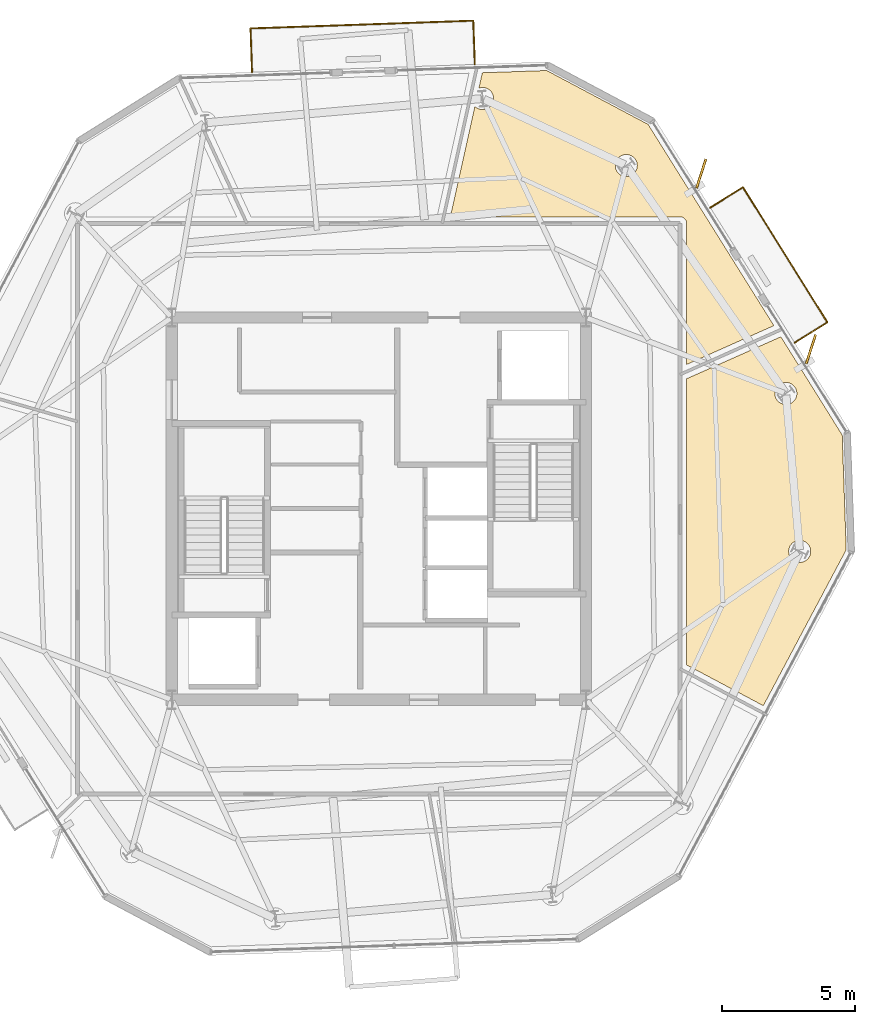
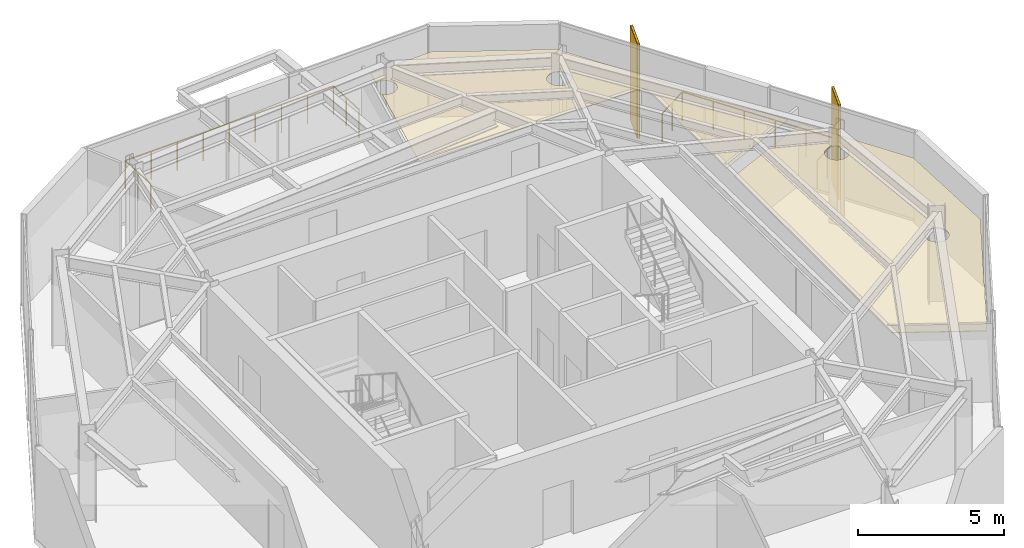
# One storey, part 11 of 11: 4 coverings, 2 railings, 2 shading devices.
"""IFC4 building model written with IfcOpenShell, lengths in metres."""

import ifcopenshell
import ifcopenshell.guid

model = None  # the IFC model being written
_history = None  # IfcOwnerHistory: only IFC2X3 demands one
_inside = {}  # id of a spatial element -> (the spatial element, [elements in it])
_under = {}  # id of a project, library or spatial element -> (it, [spatial elements below it])
_declared = {}  # id of a project -> (the project, [libraries it declares])
_typed = {}  # id of a type object -> (the type object, [elements of that type])
_made_of = {}  # id of a material, layer set ... -> (it, [elements and type objects made of it])


def new_model(schema):
    """Start an empty IFC model of exactly this schema.

    Asked for "IFC4X3", IfcOpenShell would pick the latest addendum, in which some entities
    have other attributes; the version numbers below select the first issue.
    IFC2X3 requires an IfcOwnerHistory on every rooted entity: one is made here for all.
    """
    global model, _history
    if schema == "IFC4X3":
        model = ifcopenshell.file(schema_version=(4, 3, 0, 0))
    else:
        model = ifcopenshell.file(schema=schema)
    _inside.clear()
    _under.clear()
    _declared.clear()
    _typed.clear()
    _made_of.clear()
    _history = None
    if model.schema == "IFC2X3":
        org = make("IfcOrganization", Name="unknown")
        user = make(
            "IfcPersonAndOrganization",
            ThePerson=make("IfcPerson", FamilyName="unknown"),
            TheOrganization=org,
        )
        app = make(
            "IfcApplication",
            ApplicationDeveloper=org,
            Version="unknown",
            ApplicationFullName="unknown",
            ApplicationIdentifier="unknown",
        )
        _history = make(
            "IfcOwnerHistory",
            OwningUser=user,
            OwningApplication=app,
            ChangeAction="ADDED",
            CreationDate=0,
        )
    return model


def make(cls, **values):
    """One entity of the class cls with the attributes given. An attribute that is None is left unset."""
    return model.create_entity(
        cls, **{name: value for name, value in values.items() if value is not None}
    )


def rooted(cls, **values):
    """An entity with a GlobalId (a new one), such as an element, a storey or a relation."""
    return make(cls, GlobalId=ifcopenshell.guid.new(), OwnerHistory=_history, **values)


def si_unit(unit_type, name, prefix=None):
    """IfcSIUnit, for example si_unit("LENGTHUNIT", "METRE", prefix="MILLI")."""
    return make("IfcSIUnit", UnitType=unit_type, Prefix=prefix, Name=name)


def assignment(units):
    """IfcUnitAssignment: the units of a project."""
    return None if units is None else make("IfcUnitAssignment", Units=units)


def point(xyz):
    """IfcCartesianPoint."""
    return None if xyz is None else make("IfcCartesianPoint", Coordinates=xyz)


def direction(xyz):
    """IfcDirection."""
    return None if xyz is None else make("IfcDirection", DirectionRatios=xyz)


def frame(location, z_axis=None, x_axis=None):
    """IfcAxis2Placement3D, a coordinate frame: its origin and axes. An axis left out is left unset."""
    return make(
        "IfcAxis2Placement3D",
        Location=point(location),
        Axis=direction(z_axis),
        RefDirection=direction(x_axis),
    )


def frame_2d(location, x_axis=None):
    """IfcAxis2Placement2D, a coordinate frame in the plane: its origin and x axis."""
    return make(
        "IfcAxis2Placement2D", Location=point(location), RefDirection=direction(x_axis)
    )


def origin():
    """The frame at (0, 0, 0) with its axes left unset."""
    return frame((0.0, 0.0, 0.0))


def origin_2d():
    """The frame at (0, 0) in the plane with its x axis left unset."""
    return frame_2d((0.0, 0.0))


def place(relative_to, where):
    """IfcLocalPlacement: puts the frame where relative to a parent placement (None: the world)."""
    return make(
        "IfcLocalPlacement", PlacementRelTo=relative_to, RelativePlacement=where
    )


def context(
    kind, dimensions, precision=None, world=None, true_north=None, identifier=None
):
    """IfcGeometricRepresentationContext, for example the 3D "Model" context."""
    return make(
        "IfcGeometricRepresentationContext",
        ContextIdentifier=identifier,
        ContextType=kind,
        CoordinateSpaceDimension=dimensions,
        Precision=precision,
        WorldCoordinateSystem=world,
        TrueNorth=true_north,
    )


def subcontext(parent, identifier, kind, view, scale=None):
    """IfcGeometricRepresentationSubContext, for example "Body" below "Model"."""
    return make(
        "IfcGeometricRepresentationSubContext",
        ContextIdentifier=identifier,
        ContextType=kind,
        ParentContext=parent,
        TargetScale=scale,
        TargetView=view,
    )


def project(units=None, contexts=None):
    """IfcProject with its units and contexts."""
    return rooted(
        "IfcProject",
        Name="project",
        RepresentationContexts=contexts,
        UnitsInContext=assignment(units),
    )


def spatial(cls, under=None, at=None, **own):
    """A site, building, storey or space (cls), placed at a placement, below another one or the project."""
    s = rooted(cls, ObjectPlacement=at, **own)
    if under is not None:
        _under.setdefault(under.id(), (under, []))[1].append(s)
    return s


def polyline(points):
    """IfcPolyline through the points."""
    return make("IfcPolyline", Points=[point(p) for p in points])


def profile(cls, at=None, kind="AREA", **sizes):
    """A parametric profile (cls). Its sizes go by their IFC names, for example OverallWidth=200.0."""
    return make(cls, ProfileType=kind, Position=at, **sizes)


def rectangle(**sizes):
    """IfcRectangleProfileDef."""
    return profile("IfcRectangleProfileDef", **sizes)


def circle(**sizes):
    """IfcCircleProfileDef."""
    return profile("IfcCircleProfileDef", **sizes)


def outline(outer, holes=None, kind="AREA"):
    """IfcArbitraryClosedProfileDef: a profile drawn as a closed curve; with holes, ...WithVoids."""
    if holes is None:
        return make("IfcArbitraryClosedProfileDef", ProfileType=kind, OuterCurve=outer)
    return make(
        "IfcArbitraryProfileDefWithVoids",
        ProfileType=kind,
        OuterCurve=outer,
        InnerCurves=holes,
    )


def extrude(swept, where, along, depth):
    """IfcExtrudedAreaSolid: the profile swept, set in the frame where, extruded along a direction by depth."""
    return make(
        "IfcExtrudedAreaSolid",
        SweptArea=swept,
        Position=where,
        ExtrudedDirection=direction(along),
        Depth=depth,
    )


def shape(context_of_items, identifier, shape_type, items):
    """IfcShapeRepresentation: the items that make up one representation, for example the "Body"."""
    return make(
        "IfcShapeRepresentation",
        ContextOfItems=context_of_items,
        RepresentationIdentifier=identifier,
        RepresentationType=shape_type,
        Items=items,
    )


def material(Name=None, Category=None):
    """IfcMaterial."""
    return make("IfcMaterial", Name=Name, Category=Category)


def layer(
    of_material, thickness, ventilated=None, Name=None, Category=None, Priority=None
):
    """IfcMaterialLayer: one layer of a wall or slab, of a material (None: an air gap)."""
    return make(
        "IfcMaterialLayer",
        Material=of_material,
        LayerThickness=thickness,
        IsVentilated=ventilated,
        Name=Name,
        Category=Category,
        Priority=Priority,
    )


def layer_set(layers, Name=None):
    """IfcMaterialLayerSet."""
    return make("IfcMaterialLayerSet", MaterialLayers=layers, LayerSetName=Name)


def made_of(thing, what):
    """Note that an element or type object is made of a material, layer set ...; save() writes the relation."""
    if what is not None:
        _made_of.setdefault(what.id(), (what, []))[1].append(thing)
    return thing


def type_object(cls, material=None, **own):
    """A type object (cls), such as IfcWallType, which elements share."""
    return made_of(rooted(cls, **own), material)


def element(
    cls,
    number,
    at=None,
    inside=None,
    cuts=None,
    type_object=None,
    material=None,
    context=None,
    identifier="Body",
    shape_type=None,
    held_by="IfcProductDefinitionShape",
    body=None,
    shapes=None,
    **own,
):
    """One element of the class cls, such as IfcWall. Its Tag is "e" and its number.

    at: its placement. inside: the storey or other place that contains it. cuts: it is an
    opening in that element (IfcRelVoidsElement). A single representation is given by context,
    identifier, shape_type and body (its items); several are given by shapes. held_by: the class
    of the entity that holds the representations. save() writes the other relations.
    """
    e = rooted(cls, Tag="e%d" % number, ObjectPlacement=at, **own)
    if body is not None:
        shapes = [shape(context, identifier, shape_type, body)]
    if shapes is not None:
        e.Representation = make(held_by, Representations=shapes)
    if inside is not None:
        _inside.setdefault(inside.id(), (inside, []))[1].append(e)
    if cuts is not None:
        rooted(
            "IfcRelVoidsElement", RelatingBuildingElement=cuts, RelatedOpeningElement=e
        )
    if type_object is not None:
        _typed.setdefault(type_object.id(), (type_object, []))[1].append(e)
    return made_of(e, material)


def aggregate(whole, parts):
    """IfcRelAggregates: a whole, such as a stair, and the parts it consists of."""
    return rooted("IfcRelAggregates", RelatingObject=whole, RelatedObjects=parts)


def save(model, path):
    """Write the relations noted so far, then the file.

    IfcRelAggregates (storeys below a building ...), IfcRelContainedInSpatialStructure (elements
    in a storey), IfcRelDefinesByType, IfcRelAssociatesMaterial and IfcRelDeclares: one each for
    every whole, place, type object, material and project.
    """
    for whole, parts in _under.values():
        aggregate(whole, parts)
    for where, things in _inside.values():
        rooted(
            "IfcRelContainedInSpatialStructure",
            RelatedElements=things,
            RelatingStructure=where,
        )
    for kind, things in _typed.values():
        rooted("IfcRelDefinesByType", RelatedObjects=things, RelatingType=kind)
    for what, things in _made_of.values():
        rooted("IfcRelAssociatesMaterial", RelatedObjects=things, RelatingMaterial=what)
    for by, libraries in _declared.values():
        rooted("IfcRelDeclares", RelatingContext=by, RelatedDefinitions=libraries)
    model.write(path)


model = new_model("IFC4")

# Units and contexts
model_context = context("Model", 3, precision=1e-05, world=origin(), true_north=direction((0.0, 1.0)))
body_context = subcontext(model_context, "Body", "Model", "MODEL_VIEW")
ifc_project = project(units=[si_unit("LENGTHUNIT", "METRE"), si_unit("AREAUNIT", "SQUARE_METRE"), si_unit("VOLUMEUNIT", "CUBIC_METRE"), si_unit("PLANEANGLEUNIT", "RADIAN"), si_unit("MASSUNIT", "GRAM", prefix="KILO")], contexts=[model_context])

# Site, building, storey
site_placement = place(None, origin())
site = spatial("IfcSite", under=ifc_project, at=site_placement, CompositionType="ELEMENT")
building_placement = place(site_placement, origin())
building = spatial("IfcBuilding", under=site, at=building_placement, Name="Kranzbogen Civic Tower", CompositionType="ELEMENT")
storey_placement = place(building_placement, frame((0.0, 0.0, 274.199951171875)))
storey = spatial("IfcBuildingStorey", under=building, at=storey_placement, Name="L66", CompositionType="ELEMENT", Elevation=274.199951171875)

# Coverings
ifc_material_1 = material(Name="Pale Anodised Aluminium", Category="aluminium")
ifc_layer_1 = layer(ifc_material_1, 0.02490234375, Name="Pale Anodised Aluminium")
ifc_layer_set_1 = layer_set([ifc_layer_1], Name="Pale Anodised Aluminium")
covering_type_1 = type_object("IfcCoveringType", Name="Anodised Aluminium Vertical Fin Cladding 25 mm", PredefinedType="CLADDING", material=ifc_layer_set_1)
for number, where, z_axis, x_axis, name in (
    (1, (41.279052734375, 31.010009765625, -0.139892578125), (0.0, 0.0, 1.0), (0.307190528564, 0.951648033235, 0.0), "L66 vertical fin pale-metal cladding F6-1"),
    (2, (37.14599609375, 37.625, -0.139892578125), (0.0, 0.0, 1.0), (0.307190528564, 0.951648033235, 0.0), "L66 vertical fin pale-metal cladding F6-4"),
):
    element("IfcCovering", number, at=place(storey_placement, frame(where, z_axis=z_axis, x_axis=x_axis)), inside=storey, type_object=covering_type_1, Name=name, PredefinedType="CLADDING", context=body_context, shape_type="SweptSolid", body=[
        extrude(rectangle(XDim=1.14990234375, YDim=0.094970703125, at=origin_2d()), origin(), (0.0, 0.0, 1.0), 3.9599609375),
    ])

# Railings
ifc_material_2 = material(Name="Anodised Bronze Aluminium", Category="aluminium")
railing_type = type_object("IfcRailingType", Name="Cantilevered Balcony Glass and Bronze Balustrade 1200", PredefinedType="BALUSTRADE", material=ifc_material_2)
railing_1_placement = place(storey_placement, frame((40.6669921875, 31.2529296875, 0.0)))
element("IfcRailing", 3, at=railing_1_placement, inside=storey, type_object=railing_type, Name="L66 exterior terrace balustrade L66-TB1", PredefinedType="BALUSTRADE", context=body_context, shape_type="SweptSolid", body=[
    extrude(circle(Radius=0.02392578125, at=origin_2d()), frame((0.0, 0.0, 1.17578125), z_axis=(0.84820632616, 0.529665959131, 0.0), x_axis=(-0.529665959131, 0.84820632616, 0.0)), (0.0, 0.0, 1.0), 1.4501953125),
    extrude(circle(Radius=0.02392578125, at=origin_2d()), frame((1.22998046875, 0.76806640625, 1.17578125), z_axis=(-0.529881881377, 0.848071454412, 0.0), x_axis=(-0.848071454412, -0.529881881377, 0.0)), (0.0, 0.0, 1.0), 5.999267578125),
    extrude(circle(Radius=0.02392578125, at=origin_2d()), frame((-1.948974609375, 5.85595703125, 1.17578125), z_axis=(-0.848281963452, -0.529544814422, 0.0), x_axis=(0.529544814422, -0.848281963452, 0.0)), (0.0, 0.0, 1.0), 1.449951171875),
    extrude(circle(Radius=0.02099609375, at=origin_2d()), origin(), (0.0, 0.0, 1.0), 1.15185546875),
    extrude(circle(Radius=0.02099609375, at=origin_2d()), frame((0.614990234375, 0.384033203125, 0.0)), (0.0, 0.0, 1.0), 1.15185546875),
    extrude(circle(Radius=0.02099609375, at=origin_2d()), frame((1.22998046875, 0.76806640625, 0.0)), (0.0, 0.0, 1.0), 1.15185546875),
    extrude(circle(Radius=0.02099609375, at=origin_2d()), frame((0.59423828125, 1.78564453125, 0.0)), (0.0, 0.0, 1.0), 1.15185546875),
    extrude(circle(Radius=0.02099609375, at=origin_2d()), frame((-0.04150390625, 2.80322265625, 0.0)), (0.0, 0.0, 1.0), 1.15185546875),
    extrude(circle(Radius=0.02099609375, at=origin_2d()), frame((-0.677490234375, 3.82080078125, 0.0)), (0.0, 0.0, 1.0), 1.15185546875),
    extrude(circle(Radius=0.02099609375, at=origin_2d()), frame((-1.313232421875, 4.83837890625, 0.0)), (0.0, 0.0, 1.0), 1.15185546875),
    extrude(circle(Radius=0.02099609375, at=origin_2d()), frame((-1.948974609375, 5.85595703125, 0.0)), (0.0, 0.0, 1.0), 1.15185546875),
    extrude(circle(Radius=0.02099609375, at=origin_2d()), frame((-2.56396484375, 5.47216796875, 0.0)), (0.0, 0.0, 1.0), 1.15185546875),
    extrude(circle(Radius=0.02099609375, at=origin_2d()), frame((-3.178955078125, 5.088134765625, 0.0)), (0.0, 0.0, 1.0), 1.15185546875),
])
railing_2_placement = place(storey_placement, frame((28.617919921875, 41.736083984375, 0.0)))
element("IfcRailing", 4, at=railing_2_placement, inside=storey, type_object=railing_type, Name="L66 exterior terrace balustrade L66-ST", PredefinedType="BALUSTRADE", context=body_context, shape_type="SweptSolid", body=[
    extrude(circle(Radius=0.02392578125, at=origin_2d()), frame((0.0, 0.0, 1.17578125), z_axis=(-0.035068732894, 0.999384902814, 0.0), x_axis=(-0.999384902814, -0.035068732894, 0.0)), (0.0, 0.0, 1.0), 1.64990234375),
    extrude(circle(Radius=0.02392578125, at=origin_2d()), frame((-0.057861328125, 1.64892578125, 1.17578125), z_axis=(-0.999391623099, -0.034876692483, 0.0), x_axis=(0.034876692483, -0.999391623099, 0.0)), (0.0, 0.0, 1.0), 8.400146484375),
    extrude(circle(Radius=0.02392578125, at=origin_2d()), frame((-8.452880859375, 1.35595703125, 1.17578125), z_axis=(0.035068732894, -0.999384902814, 0.0), x_axis=(0.999384902814, 0.035068732894, 0.0)), (0.0, 0.0, 1.0), 1.64990234375),
    extrude(circle(Radius=0.02099609375, at=origin_2d()), origin(), (0.0, 0.0, 1.0), 1.15185546875),
    extrude(circle(Radius=0.02099609375, at=origin_2d()), frame((-0.02880859375, 0.824462890625, 0.0)), (0.0, 0.0, 1.0), 1.15185546875),
    extrude(circle(Radius=0.02099609375, at=origin_2d()), frame((-0.057861328125, 1.64892578125, 0.0)), (0.0, 0.0, 1.0), 1.15185546875),
    extrude(circle(Radius=0.02099609375, at=origin_2d()), frame((-1.107177734375, 1.6123046875, 0.0)), (0.0, 0.0, 1.0), 1.15185546875),
    extrude(circle(Radius=0.02099609375, at=origin_2d()), frame((-2.15673828125, 1.57568359375, 0.0)), (0.0, 0.0, 1.0), 1.15185546875),
    extrude(circle(Radius=0.02099609375, at=origin_2d()), frame((-3.2060546875, 1.5390625, 0.0)), (0.0, 0.0, 1.0), 1.15185546875),
    extrude(circle(Radius=0.02099609375, at=origin_2d()), frame((-4.25537109375, 1.50244140625, 0.0)), (0.0, 0.0, 1.0), 1.15185546875),
    extrude(circle(Radius=0.02099609375, at=origin_2d()), frame((-5.3046875, 1.4658203125, 0.0)), (0.0, 0.0, 1.0), 1.15185546875),
    extrude(circle(Radius=0.02099609375, at=origin_2d()), frame((-6.35400390625, 1.42919921875, 0.0)), (0.0, 0.0, 1.0), 1.15185546875),
    extrude(circle(Radius=0.02099609375, at=origin_2d()), frame((-7.403564453125, 1.392578125, 0.0)), (0.0, 0.0, 1.0), 1.15185546875),
    extrude(circle(Radius=0.02099609375, at=origin_2d()), frame((-8.452880859375, 1.35595703125, 0.0)), (0.0, 0.0, 1.0), 1.15185546875),
    extrude(circle(Radius=0.02099609375, at=origin_2d()), frame((-8.423828125, 0.531494140625, 0.0)), (0.0, 0.0, 1.0), 1.15185546875),
    extrude(circle(Radius=0.02099609375, at=origin_2d()), frame((-8.39501953125, -0.29296875, 0.0)), (0.0, 0.0, 1.0), 1.15185546875),
])

# Shading devices
shading_device_type = type_object("IfcShadingDeviceType", Name="Pale Anodised Aluminium Crown Fin 1150x75", PredefinedType="USERDEFINED", material=ifc_material_1)
for number, where, z_axis, x_axis, name in (
    (5, (41.279052734375, 31.010009765625, -0.139892578125), (0.0, 0.0, 1.0), (0.307190528564, 0.951648033235, 0.0), "L66 vertical exterior shading fin F6-1"),
    (6, (37.14599609375, 37.625, -0.139892578125), (0.0, 0.0, 1.0), (0.307190528564, 0.951648033235, 0.0), "L66 vertical exterior shading fin F6-4"),
):
    element("IfcShadingDevice", number, at=place(storey_placement, frame(where, z_axis=z_axis, x_axis=x_axis)), inside=storey, type_object=shading_device_type, Name=name, ObjectType="FIN", PredefinedType="USERDEFINED", context=body_context, shape_type="SweptSolid", body=[
        extrude(rectangle(XDim=1.14990234375, YDim=0.074951171875, at=origin_2d()), origin(), (0.0, 0.0, 1.0), 3.9599609375),
    ])

# Coverings
ifc_material_3 = material(Name="Perforated Acoustic Gypsum Ceiling")
ifc_layer_2 = layer(ifc_material_3, 0.02490234375, Name="Perforated Acoustic Gypsum Ceiling")
ifc_layer_set_2 = layer_set([ifc_layer_2], Name="Perforated Acoustic Gypsum Ceiling")
covering_type_2 = type_object("IfcCoveringType", Name="Perforated Acoustic Mineral Ceiling Tile 25 mm", PredefinedType="CEILING", material=ifc_layer_set_2)
covering_1_placement = place(storey_placement, frame((0.0, 0.0, 2.75)))
element("IfcCovering", 7, at=covering_1_placement, inside=storey, type_object=covering_type_2, Name="L66 Staff Tea Pantry acoustic ceiling", PredefinedType="CEILING", context=body_context, shape_type="SweptSolid", body=[
    extrude(outline(polyline([(42.60888671875, 23.450927734375), (39.485107421875, 17.575927734375), (36.594970703125, 19.113037109375), (36.594970703125, 29.89404296875), (40.14599609375, 31.47412109375), (42.4580078125, 27.77392578125), (42.60888671875, 23.450927734375)]), holes=[polyline([(41.239013671875, 23.23095703125), (41.220947265625, 23.194091796875), (41.199951171875, 23.158935546875), (41.176025390625, 23.1259765625), (41.14892578125, 23.095947265625), (41.118896484375, 23.069091796875), (41.0859375, 23.044921875), (41.051025390625, 23.02392578125), (41.013916015625, 23.006103515625), (40.97607421875, 22.991943359375), (40.93603515625, 22.98291015625), (40.89599609375, 22.97705078125), (40.85498046875, 22.97509765625), (40.81396484375, 22.97705078125), (40.77392578125, 22.98291015625), (40.73388671875, 22.991943359375), (40.696044921875, 23.006103515625), (40.658935546875, 23.02392578125), (40.6240234375, 23.044921875), (40.591064453125, 23.069091796875), (40.56103515625, 23.095947265625), (40.533935546875, 23.1259765625), (40.510009765625, 23.158935546875), (40.489013671875, 23.194091796875), (40.470947265625, 23.23095703125), (40.45703125, 23.26904296875), (40.447998046875, 23.30908203125), (40.44189453125, 23.34912109375), (40.43994140625, 23.389892578125), (40.44189453125, 23.430908203125), (40.447998046875, 23.470947265625), (40.45703125, 23.510986328125), (40.470947265625, 23.549072265625), (40.489013671875, 23.5859375), (40.510009765625, 23.62109375), (40.533935546875, 23.654052734375), (40.56103515625, 23.68408203125), (40.591064453125, 23.7109375), (40.6240234375, 23.735107421875), (40.658935546875, 23.756103515625), (40.696044921875, 23.77392578125), (40.73388671875, 23.7880859375), (40.77392578125, 23.797119140625), (40.81396484375, 23.802978515625), (40.85498046875, 23.804931640625), (40.89599609375, 23.802978515625), (40.93603515625, 23.797119140625), (40.97607421875, 23.7880859375), (41.013916015625, 23.77392578125), (41.051025390625, 23.756103515625), (41.0859375, 23.735107421875), (41.118896484375, 23.7109375), (41.14892578125, 23.68408203125), (41.176025390625, 23.654052734375), (41.199951171875, 23.62109375), (41.220947265625, 23.5859375), (41.239013671875, 23.549072265625), (41.2529296875, 23.510986328125), (41.261962890625, 23.470947265625), (41.26806640625, 23.430908203125), (41.27001953125, 23.389892578125), (41.26806640625, 23.34912109375), (41.261962890625, 23.30908203125), (41.2529296875, 23.26904296875), (41.239013671875, 23.23095703125)]), polyline([(40.718017578125, 29.179931640625), (40.699951171875, 29.14306640625), (40.678955078125, 29.10791015625), (40.655029296875, 29.074951171875), (40.6279296875, 29.044921875), (40.597900390625, 29.01806640625), (40.56494140625, 28.993896484375), (40.530029296875, 28.972900390625), (40.492919921875, 28.955078125), (40.455078125, 28.94091796875), (40.4150390625, 28.931884765625), (40.375, 28.926025390625), (40.333984375, 28.924072265625), (40.29296875, 28.926025390625), (40.2529296875, 28.931884765625), (40.212890625, 28.94091796875), (40.175048828125, 28.955078125), (40.137939453125, 28.972900390625), (40.10302734375, 28.993896484375), (40.070068359375, 29.01806640625), (40.0400390625, 29.044921875), (40.012939453125, 29.074951171875), (39.989013671875, 29.10791015625), (39.968017578125, 29.14306640625), (39.949951171875, 29.179931640625), (39.93603515625, 29.218017578125), (39.927001953125, 29.258056640625), (39.9208984375, 29.298095703125), (39.9189453125, 29.339111328125), (39.9208984375, 29.3798828125), (39.927001953125, 29.419921875), (39.93603515625, 29.4599609375), (39.949951171875, 29.498046875), (39.968017578125, 29.534912109375), (39.989013671875, 29.570068359375), (40.012939453125, 29.60302734375), (40.0400390625, 29.633056640625), (40.070068359375, 29.659912109375), (40.10302734375, 29.68408203125), (40.137939453125, 29.705078125), (40.175048828125, 29.722900390625), (40.212890625, 29.737060546875), (40.2529296875, 29.74609375), (40.29296875, 29.751953125), (40.333984375, 29.75390625), (40.375, 29.751953125), (40.4150390625, 29.74609375), (40.455078125, 29.737060546875), (40.492919921875, 29.722900390625), (40.530029296875, 29.705078125), (40.56494140625, 29.68408203125), (40.597900390625, 29.659912109375), (40.6279296875, 29.633056640625), (40.655029296875, 29.60302734375), (40.678955078125, 29.570068359375), (40.699951171875, 29.534912109375), (40.718017578125, 29.498046875), (40.73193359375, 29.4599609375), (40.740966796875, 29.419921875), (40.7470703125, 29.3798828125), (40.7490234375, 29.339111328125), (40.7470703125, 29.298095703125), (40.740966796875, 29.258056640625), (40.73193359375, 29.218017578125), (40.718017578125, 29.179931640625)])]), origin(), (0.0, 0.0, 1.0), 0.025146484375),
])
covering_2_placement = place(storey_placement, frame((0.0, 0.0, 2.75)))
element("IfcCovering", 8, at=covering_2_placement, inside=storey, type_object=covering_type_2, Name="L66 Refreshment Galley Pantry acoustic ceiling", PredefinedType="CEILING", context=body_context, shape_type="SweptSolid", body=[
    extrude(outline(polyline([(36.594970703125, 35.75), (36.594970703125, 35.759033203125), (36.593994140625, 35.764892578125), (36.593017578125, 35.782958984375), (36.592041015625, 35.7890625), (36.587890625, 35.805908203125), (36.5869140625, 35.81298828125), (36.58203125, 35.830078125), (36.580078125, 35.8359375), (36.572998046875, 35.85205078125), (36.570068359375, 35.85791015625), (36.56201171875, 35.873046875), (36.55810546875, 35.87890625), (36.549072265625, 35.89306640625), (36.544921875, 35.89794921875), (36.533935546875, 35.912109375), (36.529052734375, 35.9169921875), (36.51708984375, 35.928955078125), (36.511962890625, 35.93408203125), (36.498046875, 35.945068359375), (36.492919921875, 35.948974609375), (36.47900390625, 35.9580078125), (36.472900390625, 35.9619140625), (36.4580078125, 35.969970703125), (36.451904296875, 35.972900390625), (36.43603515625, 35.97998046875), (36.429931640625, 35.98193359375), (36.4130859375, 35.987060546875), (36.406005859375, 35.988037109375), (36.388916015625, 35.991943359375), (36.383056640625, 35.992919921875), (36.364990234375, 35.993896484375), (36.35888671875, 35.9951171875), (36.35009765625, 35.9951171875), (27.695068359375, 35.9951171875), (28.618896484375, 40.153076171875), (28.64501953125, 40.12890625), (28.677978515625, 40.10498046875), (28.712890625, 40.083984375), (28.75, 40.06591796875), (28.7880859375, 40.052001953125), (28.827880859375, 40.04296875), (28.867919921875, 40.037109375), (28.908935546875, 40.034912109375), (28.949951171875, 40.037109375), (28.989990234375, 40.04296875), (29.030029296875, 40.052001953125), (29.068115234375, 40.06591796875), (29.10498046875, 40.083984375), (29.139892578125, 40.10498046875), (29.173095703125, 40.12890625), (29.202880859375, 40.156005859375), (29.22998046875, 40.18603515625), (29.25390625, 40.218994140625), (29.27490234375, 40.25390625), (29.29296875, 40.291015625), (29.306884765625, 40.3291015625), (29.31591796875, 40.368896484375), (29.322021484375, 40.408935546875), (29.323974609375, 40.449951171875), (29.322021484375, 40.490966796875), (29.31591796875, 40.531005859375), (29.306884765625, 40.571044921875), (29.29296875, 40.60888671875), (29.27490234375, 40.64599609375), (29.25390625, 40.680908203125), (29.22998046875, 40.714111328125), (29.202880859375, 40.743896484375), (29.173095703125, 40.77099609375), (29.139892578125, 40.794921875), (29.10498046875, 40.81591796875), (29.068115234375, 40.833984375), (29.030029296875, 40.847900390625), (28.989990234375, 40.85693359375), (28.949951171875, 40.863037109375), (28.908935546875, 40.864990234375), (28.867919921875, 40.863037109375), (28.827880859375, 40.85693359375), (28.7880859375, 40.847900390625), (28.77197265625, 40.842041015625), (28.89990234375, 41.4208984375), (31.325927734375, 41.506103515625), (35.14697265625, 39.47509765625), (39.884033203125, 31.89404296875), (36.594970703125, 30.429931640625), (36.594970703125, 35.75)]), holes=[polyline([(34.7060546875, 37.76708984375), (34.68798828125, 37.72998046875), (34.6669921875, 37.695068359375), (34.64306640625, 37.662109375), (34.615966796875, 37.632080078125), (34.5859375, 37.60498046875), (34.552978515625, 37.5810546875), (34.51806640625, 37.56005859375), (34.48095703125, 37.5419921875), (34.443115234375, 37.528076171875), (34.403076171875, 37.51904296875), (34.363037109375, 37.512939453125), (34.322021484375, 37.510986328125), (34.281005859375, 37.512939453125), (34.240966796875, 37.51904296875), (34.200927734375, 37.528076171875), (34.1630859375, 37.5419921875), (34.1259765625, 37.56005859375), (34.091064453125, 37.5810546875), (34.05810546875, 37.60498046875), (34.028076171875, 37.632080078125), (34.0009765625, 37.662109375), (33.97705078125, 37.695068359375), (33.9560546875, 37.72998046875), (33.93798828125, 37.76708984375), (33.924072265625, 37.804931640625), (33.9150390625, 37.844970703125), (33.908935546875, 37.885009765625), (33.906982421875, 37.926025390625), (33.908935546875, 37.967041015625), (33.9150390625, 38.007080078125), (33.924072265625, 38.047119140625), (33.93798828125, 38.0849609375), (33.9560546875, 38.1220703125), (33.97705078125, 38.156982421875), (34.0009765625, 38.18994140625), (34.028076171875, 38.219970703125), (34.05810546875, 38.2470703125), (34.091064453125, 38.27099609375), (34.1259765625, 38.2919921875), (34.1630859375, 38.31005859375), (34.200927734375, 38.323974609375), (34.240966796875, 38.3330078125), (34.281005859375, 38.339111328125), (34.322021484375, 38.341064453125), (34.363037109375, 38.339111328125), (34.403076171875, 38.3330078125), (34.443115234375, 38.323974609375), (34.48095703125, 38.31005859375), (34.51806640625, 38.2919921875), (34.552978515625, 38.27099609375), (34.5859375, 38.2470703125), (34.615966796875, 38.219970703125), (34.64306640625, 38.18994140625), (34.6669921875, 38.156982421875), (34.68798828125, 38.1220703125), (34.7060546875, 38.0849609375), (34.719970703125, 38.047119140625), (34.72900390625, 38.007080078125), (34.735107421875, 37.967041015625), (34.737060546875, 37.926025390625), (34.735107421875, 37.885009765625), (34.72900390625, 37.844970703125), (34.719970703125, 37.804931640625), (34.7060546875, 37.76708984375)])]), origin(), (0.0, 0.0, 1.0), 0.025146484375),
])

save(model, "model.ifc")
